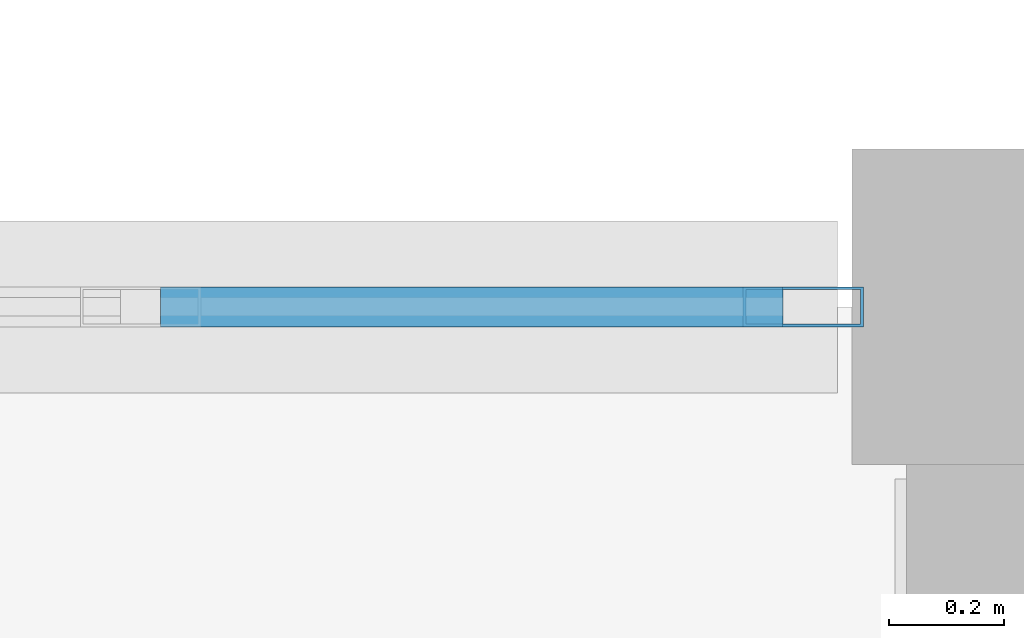
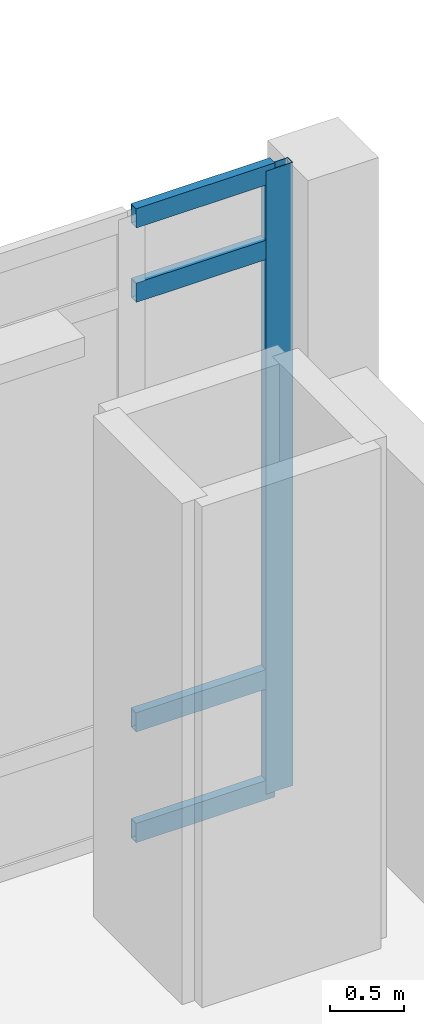
# One storey, part 81 of 134: 5 members, 1 element without a shape of its own.
"""IFC4 building model written with IfcOpenShell, lengths in metres."""

from ifc_helpers import new_model, si_unit, direction, frame, origin, origin_2d, place, context, subcontext, project, spatial, hollow_rectangle, extrude, material, material_profile, profile_set, type_object, element, aggregate, save


model = new_model("IFC4")

# Units and contexts
model_context = context("Model", 3, precision=1e-05, world=origin(), true_north=direction((0.0, 1.0)))
body_context = subcontext(model_context, "Body", "Model", "MODEL_VIEW")
ifc_project = project(units=[si_unit("LENGTHUNIT", "METRE"), si_unit("AREAUNIT", "SQUARE_METRE"), si_unit("VOLUMEUNIT", "CUBIC_METRE"), si_unit("PLANEANGLEUNIT", "RADIAN"), si_unit("MASSUNIT", "GRAM", prefix="KILO")], contexts=[model_context])

# Site, building, storey
site_placement = place(None, origin())
site = spatial("IfcSite", under=ifc_project, at=site_placement, CompositionType="ELEMENT")
building_placement = place(site_placement, origin())
building = spatial("IfcBuilding", under=site, at=building_placement, Name="Kalluvel Institute of Natural Sciences", CompositionType="ELEMENT")
storey_placement = place(building_placement, frame((0.0, 0.0, 5.39990234375)))
storey = spatial("IfcBuildingStorey", under=building, at=storey_placement, Name="L01", CompositionType="ELEMENT", Elevation=5.39990234375)

# Curtain wall, members
ifc_material = material(Name="Aluminium AW-6063 T6", Category="aluminium")
curtain_wall_type = type_object("IfcCurtainWallType", Name="CW-SPAV-45", PredefinedType="USERDEFINED", material=ifc_material)
curtain_wall_placement = place(storey_placement, origin())
curtain_wall = element("IfcCurtainWall", 1, at=curtain_wall_placement, inside=storey, type_object=curtain_wall_type, Name="L01 Gothic lancet curtain wall CWA-L01-X1361-Y356", ObjectType="UNITISED LANCET FACADE", PredefinedType="USERDEFINED")
ifc_material_profile_1 = material_profile(ifc_material, hollow_rectangle(XDim=0.070068359375, YDim=0.2099609375, WallThickness=0.0048828125, at=origin_2d()), Name="CWM 70x210")
ifc_profile_set_1 = profile_set([ifc_material_profile_1], Name="Aluminium AW-6063 T6")
member_type_1 = type_object("IfcMemberType", Name="CWM-70x210", PredefinedType="MULLION", material=ifc_profile_set_1)
member_1_placement = place(storey_placement, frame((142.0400390625, 35.60009765625, 0.0), z_axis=(0.0, 0.0, 1.0), x_axis=(0.0, 1.0, 0.0)))
member_1 = element("IfcMember", 2, at=member_1_placement, type_object=member_type_1, Name="CW-10 mullion 6", PredefinedType="MULLION", context=body_context, shape_type="SweptSolid", body=[
    extrude(hollow_rectangle(XDim=0.070068359375, YDim=0.2099609375, WallThickness=0.0048828125, at=origin_2d()), origin(), (0.0, 0.0, 1.0), 5.150146484375),
])
ifc_material_profile_2 = material_profile(ifc_material, hollow_rectangle(XDim=0.070068359375, YDim=0.159912109375, WallThickness=0.0048828125, at=origin_2d()), Name="CWT 70x160")
ifc_profile_set_2 = profile_set([ifc_material_profile_2], Name="Aluminium AW-6063 T6")
member_type_2 = type_object("IfcMemberType", Name="CWT-70x160", PredefinedType="USERDEFINED", material=ifc_profile_set_2)
member_2_placement = place(storey_placement, frame((140.919921875, 35.60009765625, 0.03515625), z_axis=(1.0, 0.0, 0.0), x_axis=(0.0, 1.0, 0.0)))
member_2 = element("IfcMember", 3, at=member_2_placement, type_object=member_type_2, Name="CW-10 transom 5.1", ObjectType="TRANSOM", PredefinedType="USERDEFINED", context=body_context, shape_type="SweptSolid", body=[
    extrude(hollow_rectangle(XDim=0.070068359375, YDim=0.159912109375, WallThickness=0.0048828125, at=origin_2d()), origin(), (0.0, 0.0, 1.0), 1.0849609375),
])
member_3_placement = place(storey_placement, frame((140.919921875, 35.60009765625, 0.9501953125), z_axis=(1.0, 0.0, 0.0), x_axis=(0.0, 1.0, 0.0)))
member_3 = element("IfcMember", 4, at=member_3_placement, type_object=member_type_2, Name="CW-10 transom 5.2", ObjectType="TRANSOM", PredefinedType="USERDEFINED", context=body_context, shape_type="SweptSolid", body=[
    extrude(hollow_rectangle(XDim=0.070068359375, YDim=0.159912109375, WallThickness=0.0048828125, at=origin_2d()), origin(), (0.0, 0.0, 1.0), 1.0849609375),
])
member_4_placement = place(storey_placement, frame((140.919921875, 35.60009765625, 4.5), z_axis=(1.0, 0.0, 0.0), x_axis=(0.0, 1.0, 0.0)))
member_4 = element("IfcMember", 5, at=member_4_placement, type_object=member_type_2, Name="CW-10 transom 5.3", ObjectType="TRANSOM", PredefinedType="USERDEFINED", context=body_context, shape_type="SweptSolid", body=[
    extrude(hollow_rectangle(XDim=0.070068359375, YDim=0.159912109375, WallThickness=0.0048828125, at=origin_2d()), origin(), (0.0, 0.0, 1.0), 1.0849609375),
])
member_5_placement = place(storey_placement, frame((140.919921875, 35.60009765625, 5.114990234375), z_axis=(1.0, 0.0, 0.0), x_axis=(0.0, 1.0, 0.0)))
member_5 = element("IfcMember", 6, at=member_5_placement, type_object=member_type_2, Name="CW-10 transom 5.4", ObjectType="TRANSOM", PredefinedType="USERDEFINED", context=body_context, shape_type="SweptSolid", body=[
    extrude(hollow_rectangle(XDim=0.070068359375, YDim=0.159912109375, WallThickness=0.0048828125, at=origin_2d()), origin(), (0.0, 0.0, 1.0), 1.0849609375),
])
aggregate(curtain_wall, [member_1, member_2, member_3, member_4, member_5])

save(model, "model.ifc")
